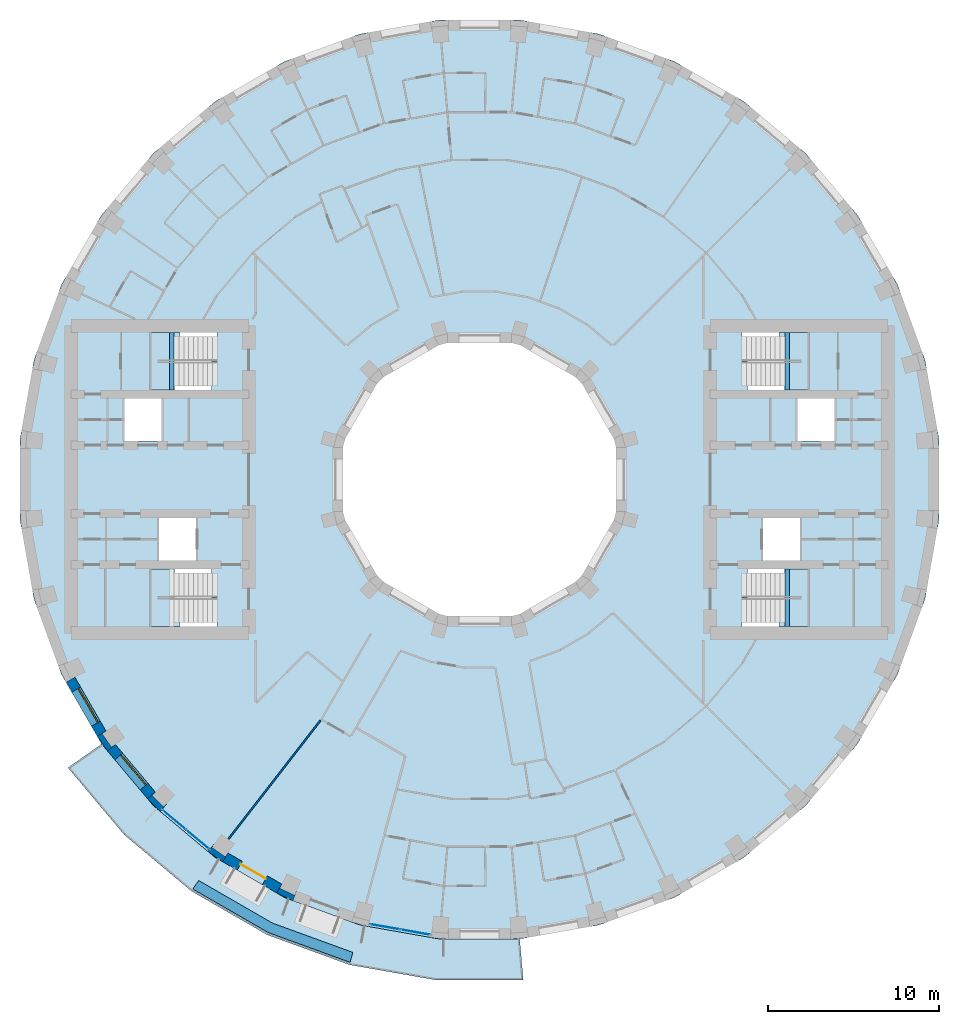
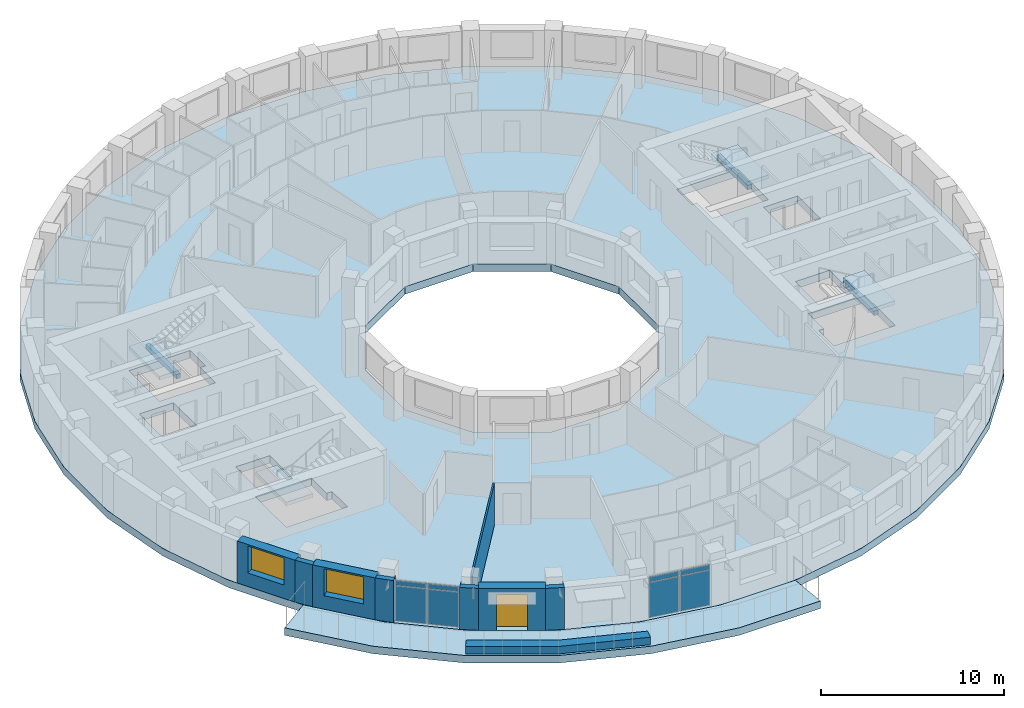
# One storey, part 3 of 14: 9 walls, 8 plates, 6 slabs, 3 beams, 2 windows, 1 door, 3 openings, 6 elements without a shape of their own.
"""IFC4 building model written with IfcOpenShell, lengths in metres."""

from ifc_helpers import new_model, si_unit, direction, frame, frame_2d, origin, origin_2d, place, context, subcontext, project, spatial, polyline, rectangle, outline, extrude, material, layer, layer_set, material_profile, profile_set, type_object, element, fill, aggregate, save


model = new_model("IFC4")

# Units and contexts
model_context = context("Model", 3, precision=1e-05, world=origin(), true_north=direction((0.0, 1.0)))
body_context = subcontext(model_context, "Body", "Model", "MODEL_VIEW")
ifc_project = project(units=[si_unit("LENGTHUNIT", "METRE"), si_unit("AREAUNIT", "SQUARE_METRE"), si_unit("VOLUMEUNIT", "CUBIC_METRE"), si_unit("PLANEANGLEUNIT", "RADIAN"), si_unit("MASSUNIT", "GRAM", prefix="KILO")], contexts=[model_context])

# Site, building, storey
site_placement = place(None, origin())
site = spatial("IfcSite", under=ifc_project, at=site_placement, CompositionType="ELEMENT")
building_placement = place(site_placement, origin())
building = spatial("IfcBuilding", under=site, at=building_placement, Name="Saqina Gate Tower", CompositionType="ELEMENT")
storey_placement = place(building_placement, frame((0.0, 0.0, 131.5)))
storey = spatial("IfcBuildingStorey", under=building, at=storey_placement, Name="L37", CompositionType="ELEMENT", Elevation=131.5)

# Beams
ifc_material_1 = material(Name="Concrete C40/50", Category="concrete")
ifc_material_profile = material_profile(ifc_material_1, rectangle(XDim=0.25, YDim=0.300048828125, at=origin_2d()), Name="STAIR LANDING BEAM")
ifc_profile_set = profile_set([ifc_material_profile], Name="Concrete C40/50")
beam_type = type_object("IfcBeamType", Name="STAIR LANDING BEAM", PredefinedType="BEAM", material=ifc_profile_set)
for number, where, z_axis, x_axis, name in (
    (1, (18.02001953125, 5.25, 1.25), (0.0, 1.0, 0.0), (-1.0, 0.0, 0.0), "EXIT STAIR 1 LANDING BEAM"),
    (2, (18.02001953125, -8.60009765625, 1.25), (0.0, 1.0, 0.0), (-1.0, 0.0, 0.0), "EXIT STAIR 2 LANDING BEAM"),
    (3, (-18.02001953125, 5.25, 1.25), (0.0, 1.0, 0.0), (-1.0, 0.0, 0.0), "EXIT STAIR 3 LANDING BEAM"),
):
    element("IfcBeam", number, at=place(storey_placement, frame(where, z_axis=z_axis, x_axis=x_axis)), inside=storey, type_object=beam_type, Name=name, PredefinedType="BEAM", context=body_context, shape_type="SweptSolid", body=[
        extrude(rectangle(XDim=0.25, YDim=0.300048828125, at=origin_2d()), origin(), (0.0, 0.0, 1.0), 3.35009765625),
    ])

# Curtain wall, plates
ifc_material_2 = material(Name="Aluminium glazing", Category="aluminium")
ifc_layer_1 = layer(ifc_material_2, 0.159912109375)
ifc_layer_set_1 = layer_set([ifc_layer_1], Name="CWT-4")
curtain_wall_type = type_object("IfcCurtainWallType", Name="CWT-4", PredefinedType="NOTDEFINED", material=ifc_layer_set_1)
curtain_wall_1_placement = place(storey_placement, origin())
curtain_wall_1 = element("IfcCurtainWall", 4, at=curtain_wall_1_placement, inside=storey, type_object=curtain_wall_type, Name="Terrace lounge glazing facet 23", PredefinedType="NOTDEFINED")
ifc_material_3 = material(Name="Glass", Category="glass")
ifc_layer_2 = layer(ifc_material_3, 0.028076171875)
ifc_layer_set_2 = layer_set([ifc_layer_2], Name="CWT-4P")
plate_type = type_object("IfcPlateType", Name="CWT-4P", PredefinedType="CURTAIN_PANEL", material=ifc_layer_set_2)
plate_1_placement = place(storey_placement, frame((-17.8798828125, -19.9130859375, 0.06005859375), z_axis=(0.0, 0.0, 1.0), x_axis=(0.766041744675, -0.642790825553, 0.0)))
plate_1 = element("IfcPlate", 5, at=plate_1_placement, type_object=plate_type, Name="CW4-23 panel 1.1", PredefinedType="CURTAIN_PANEL", context=body_context, shape_type="SweptSolid", body=[
    extrude(rectangle(XDim=1.73388671875, YDim=0.028076171875, at=origin_2d()), origin(), (0.0, 0.0, 1.0), 2.31005859375),
])
plate_2_placement = place(storey_placement, frame((-17.8798828125, -19.9130859375, 2.429931640625), z_axis=(0.0, 0.0, 1.0), x_axis=(0.766041744675, -0.642790825553, 0.0)))
plate_2 = element("IfcPlate", 6, at=plate_2_placement, type_object=plate_type, Name="CW4-23 panel 1.2", PredefinedType="CURTAIN_PANEL", context=body_context, shape_type="SweptSolid", body=[
    extrude(rectangle(XDim=1.73388671875, YDim=0.028076171875, at=origin_2d()), origin(), (0.0, 0.0, 1.0), 0.31005859375),
])
plate_3_placement = place(storey_placement, frame((-16.505615234375, -21.066162109375, 0.06005859375), z_axis=(0.0, 0.0, 1.0), x_axis=(0.766041744675, -0.642790825553, 0.0)))
plate_3 = element("IfcPlate", 7, at=plate_3_placement, type_object=plate_type, Name="CW4-23 panel 2.1", PredefinedType="CURTAIN_PANEL", context=body_context, shape_type="SweptSolid", body=[
    extrude(rectangle(XDim=1.73388671875, YDim=0.028076171875, at=origin_2d()), origin(), (0.0, 0.0, 1.0), 2.31005859375),
])
plate_4_placement = place(storey_placement, frame((-16.505615234375, -21.066162109375, 2.429931640625), z_axis=(0.0, 0.0, 1.0), x_axis=(0.766041744675, -0.642790825553, 0.0)))
plate_4 = element("IfcPlate", 8, at=plate_4_placement, type_object=plate_type, Name="CW4-23 panel 2.2", PredefinedType="CURTAIN_PANEL", context=body_context, shape_type="SweptSolid", body=[
    extrude(rectangle(XDim=1.73388671875, YDim=0.028076171875, at=origin_2d()), origin(), (0.0, 0.0, 1.0), 0.31005859375),
])
aggregate(curtain_wall_1, [plate_1, plate_2, plate_3, plate_4])

curtain_wall_2_placement = place(storey_placement, origin())
curtain_wall_2 = element("IfcCurtainWall", 9, at=curtain_wall_2_placement, inside=storey, type_object=curtain_wall_type, Name="Terrace lounge glazing facet 26", PredefinedType="NOTDEFINED")
plate_5_placement = place(storey_placement, frame((-5.52783203125, -26.18505859375, 0.06005859375), z_axis=(0.0, 0.0, 1.0), x_axis=(0.984809489664, -0.17363832834, 0.0)))
plate_5 = element("IfcPlate", 10, at=plate_5_placement, type_object=plate_type, Name="CW4-26 panel 1.1", PredefinedType="CURTAIN_PANEL", context=body_context, shape_type="SweptSolid", body=[
    extrude(rectangle(XDim=1.73388671875, YDim=0.028076171875, at=origin_2d()), origin(), (0.0, 0.0, 1.0), 2.31005859375),
])
plate_6_placement = place(storey_placement, frame((-5.52783203125, -26.18505859375, 2.429931640625), z_axis=(0.0, 0.0, 1.0), x_axis=(0.984809489664, -0.17363832834, 0.0)))
plate_6 = element("IfcPlate", 11, at=plate_6_placement, type_object=plate_type, Name="CW4-26 panel 1.2", PredefinedType="CURTAIN_PANEL", context=body_context, shape_type="SweptSolid", body=[
    extrude(rectangle(XDim=1.73388671875, YDim=0.028076171875, at=origin_2d()), origin(), (0.0, 0.0, 1.0), 0.31005859375),
])
plate_7_placement = place(storey_placement, frame((-3.76123046875, -26.49658203125, 0.06005859375), z_axis=(0.0, 0.0, 1.0), x_axis=(0.984809489664, -0.17363832834, 0.0)))
plate_7 = element("IfcPlate", 12, at=plate_7_placement, type_object=plate_type, Name="CW4-26 panel 2.1", PredefinedType="CURTAIN_PANEL", context=body_context, shape_type="SweptSolid", body=[
    extrude(rectangle(XDim=1.73388671875, YDim=0.028076171875, at=origin_2d()), origin(), (0.0, 0.0, 1.0), 2.31005859375),
])
plate_8_placement = place(storey_placement, frame((-3.76123046875, -26.49658203125, 2.429931640625), z_axis=(0.0, 0.0, 1.0), x_axis=(0.984809489664, -0.17363832834, 0.0)))
plate_8 = element("IfcPlate", 13, at=plate_8_placement, type_object=plate_type, Name="CW4-26 panel 2.2", PredefinedType="CURTAIN_PANEL", context=body_context, shape_type="SweptSolid", body=[
    extrude(rectangle(XDim=1.73388671875, YDim=0.028076171875, at=origin_2d()), origin(), (0.0, 0.0, 1.0), 0.31005859375),
])
aggregate(curtain_wall_2, [plate_5, plate_6, plate_7, plate_8])

# Stair, slab
ifc_material_4 = material(Name="Concrete C40/50", Category="concrete")
stair_type = type_object("IfcStairType", Name="EXIT STAIR", PredefinedType="HALF_TURN_STAIR", material=ifc_material_4)
stair_1_placement = place(storey_placement, origin())
stair_1 = element("IfcStair", 14, at=stair_1_placement, inside=storey, type_object=stair_type, Name="EXIT STAIR 1", PredefinedType="HALF_TURN_STAIR")
ifc_material_5 = material(Name="Concrete C40/50", Category="concrete")
ifc_layer_3 = layer(ifc_material_5, 0.25)
ifc_layer_set_3 = layer_set([ifc_layer_3], Name="Concrete C40/50")
slab_type_1 = type_object("IfcSlabType", Name="EXIT STAIR LANDING", PredefinedType="LANDING", material=ifc_layer_set_3)
slab_1_placement = place(storey_placement, frame((0.0, 0.0, 1.39990234375)))
slab_1 = element("IfcSlab", 15, at=slab_1_placement, type_object=slab_type_1, Name="EXIT STAIR 1 LANDING 1", PredefinedType="LANDING", context=body_context, shape_type="SweptSolid", body=[
    extrude(outline(polyline([(19.219970703125, 8.60009765625), (19.219970703125, 5.25), (17.864990234375, 5.25), (17.864990234375, 6.925048828125), (17.534423828125, 6.925048828125), (17.534423828125, 8.60009765625), (17.864990234375, 8.60009765625), (17.8701171875, 8.60009765625), (19.219970703125, 8.60009765625)])), origin(), (0.0, 0.0, 1.0), 0.25),
])
aggregate(stair_1, [slab_1])

stair_2_placement = place(storey_placement, origin())
stair_2 = element("IfcStair", 16, at=stair_2_placement, inside=storey, type_object=stair_type, Name="EXIT STAIR 2", PredefinedType="HALF_TURN_STAIR")
slab_2_placement = place(storey_placement, frame((0.0, 0.0, 1.39990234375)))
slab_2 = element("IfcSlab", 17, at=slab_2_placement, type_object=slab_type_1, Name="EXIT STAIR 2 LANDING 1", PredefinedType="LANDING", context=body_context, shape_type="SweptSolid", body=[
    extrude(outline(polyline([(17.534423828125, -8.60009765625), (17.534423828125, -6.925048828125), (17.864990234375, -6.925048828125), (17.864990234375, -5.25), (19.219970703125, -5.25), (19.219970703125, -8.60009765625), (17.8701171875, -8.60009765625), (17.864990234375, -8.60009765625), (17.534423828125, -8.60009765625)])), origin(), (0.0, 0.0, 1.0), 0.25),
])
aggregate(stair_2, [slab_2])

stair_3_placement = place(storey_placement, origin())
stair_3 = element("IfcStair", 18, at=stair_3_placement, inside=storey, type_object=stair_type, Name="EXIT STAIR 3", PredefinedType="HALF_TURN_STAIR")
slab_3_placement = place(storey_placement, frame((0.0, 0.0, 1.39990234375)))
slab_3 = element("IfcSlab", 19, at=slab_3_placement, type_object=slab_type_1, Name="EXIT STAIR 3 LANDING 1", PredefinedType="LANDING", context=body_context, shape_type="SweptSolid", body=[
    extrude(outline(polyline([(-17.864990234375, 5.25), (-19.219970703125, 5.25), (-19.219970703125, 8.60009765625), (-17.8701171875, 8.60009765625), (-17.864990234375, 8.60009765625), (-17.534423828125, 8.60009765625), (-17.534423828125, 6.925048828125), (-17.864990234375, 6.925048828125), (-17.864990234375, 5.25)])), origin(), (0.0, 0.0, 1.0), 0.25),
])
aggregate(stair_3, [slab_3])

stair_4_placement = place(storey_placement, origin())
stair_4 = element("IfcStair", 20, at=stair_4_placement, inside=storey, type_object=stair_type, Name="EXIT STAIR 4", PredefinedType="HALF_TURN_STAIR")
slab_4_placement = place(storey_placement, frame((0.0, 0.0, 1.39990234375)))
slab_4 = element("IfcSlab", 21, at=slab_4_placement, type_object=slab_type_1, Name="EXIT STAIR 4 LANDING 1", PredefinedType="LANDING", context=body_context, shape_type="SweptSolid", body=[
    extrude(outline(polyline([(-17.534423828125, -6.925048828125), (-17.534423828125, -8.60009765625), (-17.864990234375, -8.60009765625), (-17.8701171875, -8.60009765625), (-19.219970703125, -8.60009765625), (-19.219970703125, -5.25), (-17.864990234375, -5.25), (-17.864990234375, -6.925048828125), (-17.534423828125, -6.925048828125)])), origin(), (0.0, 0.0, 1.0), 0.25),
])
aggregate(stair_4, [slab_4])

# Slabs
ifc_material_6 = material(Name="Concrete C40/50", Category="concrete")
ifc_layer_4 = layer(ifc_material_6, 0.5)
ifc_layer_set_4 = layer_set([ifc_layer_4], Name="Concrete C40/50")
slab_type_2 = type_object("IfcSlabType", Name="STR-POST-TENSIONED FLAT PLATE FLOOR-500", PredefinedType="FLOOR", material=ifc_layer_set_4)
slab_5_placement = place(storey_placement, frame((0.0, 0.0, -0.5)))
element("IfcSlab", 22, at=slab_5_placement, inside=storey, type_object=slab_type_2, Name="L37-SLB01", PredefinedType="FLOOR", context=body_context, shape_type="SweptSolid", body=[
    extrude(outline(polyline([(26.080078125, -6.988037109375), (26.897216796875, -2.353271484375), (26.897216796875, 2.353271484375), (26.080078125, 6.988037109375), (24.47021484375, 11.41064453125), (22.1171875, 15.486572265625), (19.091796875, 19.091796875), (15.486572265625, 22.1171875), (11.41064453125, 24.47021484375), (6.988037109375, 26.080078125), (2.353271484375, 26.897216796875), (-2.353271484375, 26.897216796875), (-6.988037109375, 26.080078125), (-11.41064453125, 24.47021484375), (-15.486572265625, 22.1171875), (-19.091796875, 19.091796875), (-22.1171875, 15.486572265625), (-24.47021484375, 11.41064453125), (-26.080078125, 6.988037109375), (-26.897216796875, 2.353271484375), (-26.897216796875, -2.353271484375), (-26.080078125, -6.988037109375), (-24.47021484375, -11.41064453125), (-22.1171875, -15.486572265625), (-19.091796875, -19.091796875), (-15.486572265625, -22.1171875), (-11.41064453125, -24.47021484375), (-6.988037109375, -26.080078125), (-2.353271484375, -26.897216796875), (2.353271484375, -26.897216796875), (6.988037109375, -26.080078125), (11.41064453125, -24.47021484375), (15.486572265625, -22.1171875), (19.091796875, -19.091796875), (22.1171875, -15.486572265625), (24.47021484375, -11.41064453125), (26.080078125, -6.988037109375)]), holes=[polyline([(2.1435546875, 8.0), (5.8564453125, 5.8564453125), (8.0, 2.1435546875), (8.0, -2.1435546875), (5.8564453125, -5.8564453125), (2.1435546875, -8.0), (-2.1435546875, -8.0), (-5.8564453125, -5.8564453125), (-8.0, -2.1435546875), (-8.0, 2.1435546875), (-5.8564453125, 5.8564453125), (-2.1435546875, 8.0), (2.1435546875, 8.0)]), polyline([(-15.35498046875, -8.60009765625), (-19.219970703125, -8.60009765625), (-19.219970703125, -6.925048828125), (-19.219970703125, -5.25), (-15.685546875, -5.25), (-15.685546875, -6.925048828125), (-15.35498046875, -6.925048828125), (-15.35498046875, -8.60009765625)]), polyline([(-16.590087890625, -2.25), (-16.590087890625, -4.75), (-18.75, -4.75), (-18.75, -2.25), (-16.590087890625, -2.25)]), polyline([(-20.780029296875, 4.75), (-18.6201171875, 4.75), (-18.6201171875, 2.25), (-20.780029296875, 2.25), (-20.780029296875, 4.75)]), polyline([(-19.219970703125, 6.925048828125), (-19.219970703125, 8.60009765625), (-15.35498046875, 8.60009765625), (-15.35498046875, 6.925048828125), (-15.685546875, 6.925048828125), (-15.685546875, 5.25), (-19.219970703125, 5.25), (-19.219970703125, 6.925048828125)]), polyline([(15.35498046875, -8.60009765625), (15.35498046875, -6.925048828125), (15.685546875, -6.925048828125), (15.685546875, -5.25), (19.219970703125, -5.25), (19.219970703125, -6.925048828125), (19.219970703125, -8.60009765625), (15.35498046875, -8.60009765625)]), polyline([(18.75, -2.25), (18.75, -4.75), (16.590087890625, -4.75), (16.590087890625, -2.25), (18.75, -2.25)]), polyline([(18.6201171875, 4.75), (20.780029296875, 4.75), (20.780029296875, 2.25), (18.6201171875, 2.25), (18.6201171875, 4.75)]), polyline([(15.685546875, 6.925048828125), (15.35498046875, 6.925048828125), (15.35498046875, 8.60009765625), (19.219970703125, 8.60009765625), (19.219970703125, 6.925048828125), (19.219970703125, 5.25), (15.685546875, 5.25), (15.685546875, 6.925048828125)])]), origin(), (0.0, 0.0, 1.0), 0.5),
])
ifc_material_7 = material(Name="Concrete C40/50", Category="concrete")
ifc_layer_5 = layer(ifc_material_7, 0.5)
ifc_layer_set_5 = layer_set([ifc_layer_5], Name="Concrete C40/50")
slab_type_3 = type_object("IfcSlabType", Name="STR-POST-TENSIONED FLAT PLATE TERRACE-500", PredefinedType="FLOOR", material=ifc_layer_set_5)
slab_6_placement = place(storey_placement, frame((0.0, 0.0, -0.5)))
element("IfcSlab", 23, at=slab_6_placement, inside=storey, type_object=slab_type_3, Name="L37-TRS01", PredefinedType="FLOOR", context=body_context, shape_type="SweptSolid", body=[
    extrude(outline(polyline([(-22.1171875, -15.486572265625), (-19.091796875, -19.091796875), (-15.486572265625, -22.1171875), (-11.41064453125, -24.47021484375), (-6.988037109375, -26.080078125), (-2.353271484375, -26.897216796875), (2.353271484375, -26.897216796875), (2.563232421875, -29.29736328125), (-2.563232421875, -29.29736328125), (-7.611572265625, -28.406982421875), (-12.428955078125, -26.65380859375), (-16.868408203125, -24.090576171875), (-20.79541015625, -20.79541015625), (-24.090576171875, -16.868408203125), (-22.1171875, -15.486572265625)])), origin(), (0.0, 0.0, 1.0), 0.5),
])

# Walls
ifc_material_8 = material(Name="Brick masonry (buff)", Category="masonry")
wall_type_1 = type_object("IfcWallType", Name="BRICK PIER COPING BUFF", PredefinedType="SOLIDWALL", material=ifc_material_8)
wall_1_placement = place(storey_placement, origin())
element("IfcWall", 24, at=wall_1_placement, inside=storey, type_object=wall_type_1, Name="Pier cap L37 column 22", PredefinedType="SOLIDWALL", context=body_context, shape_type="SweptSolid", body=[
    extrude(outline(polyline([(-21.77685546875, -15.89208984375), (-21.317138671875, -15.50634765625), (-21.53759765625, -15.66064453125), (-22.08251953125, -14.88232421875), (-21.862060546875, -14.728271484375), (-22.3818359375, -15.0283203125), (-21.77685546875, -15.89208984375)])), origin(), (0.0, 0.0, 1.0), 2.800048828125),
])
wall_2_placement = place(storey_placement, origin())
element("IfcWall", 25, at=wall_2_placement, inside=storey, type_object=wall_type_1, Name="Pier cap L37 column 23", PredefinedType="SOLIDWALL", context=body_context, shape_type="SweptSolid", body=[
    extrude(outline(polyline([(-19.43212890625, -18.686279296875), (-18.686279296875, -19.43212890625), (-18.30078125, -18.972412109375), (-18.49072265625, -19.16259765625), (-19.16259765625, -18.49072265625), (-18.972412109375, -18.30078125), (-19.43212890625, -18.686279296875)])), origin(), (0.0, 0.0, 1.0), 2.800048828125),
])
wall_3_placement = place(storey_placement, origin())
element("IfcWall", 26, at=wall_3_placement, inside=storey, type_object=wall_type_1, Name="Pier cap L37 column 24", PredefinedType="SOLIDWALL", context=body_context, shape_type="SweptSolid", body=[
    extrude(outline(polyline([(-15.0283203125, -22.3818359375), (-14.728271484375, -21.862060546875), (-14.88232421875, -22.08251953125), (-15.66064453125, -21.53759765625), (-15.50634765625, -21.317138671875), (-15.89208984375, -21.77685546875), (-15.0283203125, -22.3818359375)])), origin(), (0.0, 0.0, 1.0), 2.800048828125),
])
wall_4_placement = place(storey_placement, origin())
element("IfcWall", 27, at=wall_4_placement, inside=storey, type_object=wall_type_1, Name="Pier cap L37 column 25", PredefinedType="SOLIDWALL", context=body_context, shape_type="SweptSolid", body=[
    extrude(outline(polyline([(-10.913330078125, -24.6513671875), (-10.7080078125, -24.08740234375), (-10.82177734375, -24.331298828125), (-11.6826171875, -23.9296875), (-11.569091796875, -23.68603515625), (-11.869140625, -24.205810546875), (-10.913330078125, -24.6513671875)])), origin(), (0.0, 0.0, 1.0), 2.800048828125),
])

# Wall, opening, window
ifc_material_9 = material(Name="Brick masonry (buff)", Category="masonry")
ifc_layer_6 = layer(ifc_material_9, 0.60009765625)
ifc_layer_set_6 = layer_set([ifc_layer_6], Name="FW-BRICK-BUFF")
wall_type_2 = type_object("IfcWallType", Name="FW-BRICK-BUFF", PredefinedType="SOLIDWALL", material=ifc_layer_set_6)
wall_5_placement = place(storey_placement, frame((-23.94580078125, -11.718994140625, 0.0), z_axis=(0.0, 0.0, 1.0), x_axis=(0.499954196102, -0.866051847062, 0.0)))
wall_5 = element("IfcWall", 28, at=wall_5_placement, inside=storey, type_object=wall_type_2, Name="Facade wall L37 facet 21", PredefinedType="SOLIDWALL", context=body_context, shape_type="SweptSolid", body=[
    extrude(rectangle(XDim=3.647705078125, YDim=0.60009765625, at=frame_2d((1.82373046875, 0.0))), origin(), (0.0, 0.0, 1.0), 2.800048828125),
])
opening_1_placement = place(wall_5_placement, frame((0.673828125, 0.0, 0.89990234375)))
opening_1 = element("IfcOpeningElement", 29, at=opening_1_placement, cuts=wall_5, Name="Opening G11-W14", PredefinedType="OPENING", context=body_context, shape_type="SweptSolid", body=[
    extrude(rectangle(XDim=2.300048828125, YDim=1.800048828125, at=frame_2d((1.14990234375, 0.89990234375))), frame((0.0, 0.31201171875, 0.0), z_axis=(0.0, -1.0, 0.0), x_axis=(1.0, 0.0, 0.0)), (0.0, 0.0, 1.0), 0.6240234375),
])
ifc_material_10 = material(Name="Aluminium glazing", Category="aluminium")
window_type = type_object("IfcWindowType", Name="WN-B", PartitioningType="SINGLE_PANEL", PredefinedType="WINDOW", material=ifc_material_10)
window_1_placement = place(opening_1_placement, origin())
window_1 = element("IfcWindow", 30, at=window_1_placement, inside=storey, type_object=window_type, Name="Window L37 facet 21", OverallHeight=1.800048828125, OverallWidth=2.300048828125, PartitioningType="SINGLE_PANEL", PredefinedType="WINDOW", context=body_context, shape_type="SweptSolid", body=[
    extrude(rectangle(XDim=2.300048828125, YDim=1.800048828125, at=frame_2d((1.14990234375, 0.89990234375))), frame((0.0, 0.179931640625, 0.0), z_axis=(0.0, -1.0, 0.0), x_axis=(1.0, 0.0, 0.0)), (0.0, 0.0, 1.0), 0.06005859375),
])
fill(opening_1, window_1)

wall_6_placement = place(storey_placement, frame((-21.547119140625, -15.69921875, 0.0), z_axis=(0.0, 0.0, 1.0), x_axis=(0.642774476932, -0.766055462616, 0.0)))
wall_6 = element("IfcWall", 31, at=wall_6_placement, inside=storey, type_object=wall_type_2, Name="Facade wall L37 facet 22", PredefinedType="SOLIDWALL", context=body_context, shape_type="SweptSolid", body=[
    extrude(rectangle(XDim=3.647705078125, YDim=0.60009765625, at=frame_2d((1.82373046875, 0.0))), origin(), (0.0, 0.0, 1.0), 2.800048828125),
])
opening_2_placement = place(wall_6_placement, frame((0.673828125, 0.0, 0.89990234375)))
opening_2 = element("IfcOpeningElement", 32, at=opening_2_placement, cuts=wall_6, Name="Opening G11-W15", PredefinedType="OPENING", context=body_context, shape_type="SweptSolid", body=[
    extrude(rectangle(XDim=2.300048828125, YDim=1.800048828125, at=frame_2d((1.14990234375, 0.89990234375))), frame((0.0, 0.31201171875, 0.0), z_axis=(0.0, -1.0, 0.0), x_axis=(1.0, 0.0, 0.0)), (0.0, 0.0, 1.0), 0.6240234375),
])
window_2_placement = place(opening_2_placement, origin())
window_2 = element("IfcWindow", 33, at=window_2_placement, inside=storey, type_object=window_type, Name="Window L37 facet 22", OverallHeight=1.800048828125, OverallWidth=2.300048828125, PartitioningType="SINGLE_PANEL", PredefinedType="WINDOW", context=body_context, shape_type="SweptSolid", body=[
    extrude(rectangle(XDim=2.300048828125, YDim=1.800048828125, at=frame_2d((1.14990234375, 0.89990234375))), frame((0.0, 0.179931640625, 0.0), z_axis=(0.0, -1.0, 0.0), x_axis=(1.0, 0.0, 0.0)), (0.0, 0.0, 1.0), 0.06005859375),
])
fill(opening_2, window_2)

# Wall, opening, door
wall_7_placement = place(storey_placement, frame((-14.878173828125, -22.1220703125, 0.0), z_axis=(0.0, 0.0, 1.0), x_axis=(0.866051847062, -0.499954196102, 0.0)))
wall_7 = element("IfcWall", 34, at=wall_7_placement, inside=storey, type_object=wall_type_2, Name="Facade wall L37 facet 24", PredefinedType="SOLIDWALL", context=body_context, shape_type="SweptSolid", body=[
    extrude(rectangle(XDim=3.647705078125, YDim=0.60009765625, at=frame_2d((1.82373046875, 0.0))), origin(), (0.0, 0.0, 1.0), 2.800048828125),
])
opening_3_placement = place(wall_7_placement, frame((0.973876953125, 0.0, 0.0)))
opening_3 = element("IfcOpeningElement", 35, at=opening_3_placement, cuts=wall_7, Name="Opening G11-D80", PredefinedType="OPENING", context=body_context, shape_type="SweptSolid", body=[
    extrude(rectangle(XDim=1.699951171875, YDim=2.39990234375, at=frame_2d((0.85009765625, 1.199951171875))), frame((0.0, 0.31201171875, 0.0), z_axis=(0.0, -1.0, 0.0), x_axis=(1.0, 0.0, 0.0)), (0.0, 0.0, 1.0), 0.6240234375),
])
ifc_material_11 = material(Name="Aluminium glazing", Category="aluminium")
door_type = type_object("IfcDoorType", Name="GD-B", OperationType="DOUBLE_DOOR_SINGLE_SWING", PredefinedType="DOOR", material=ifc_material_11)
door_placement = place(opening_3_placement, origin())
door = element("IfcDoor", 36, at=door_placement, inside=storey, type_object=door_type, Name="Terrace door L37 facet 24", OperationType="DOUBLE_DOOR_SINGLE_SWING", OverallHeight=2.39990234375, OverallWidth=1.699951171875, PredefinedType="DOOR", context=body_context, shape_type="SweptSolid", body=[
    extrude(rectangle(XDim=1.699951171875, YDim=2.39990234375, at=frame_2d((0.85009765625, 1.199951171875))), frame((0.0, 0.125, 0.0), z_axis=(0.0, -1.0, 0.0), x_axis=(1.0, 0.0, 0.0)), (0.0, 0.0, 1.0), 0.050048828125),
])
fill(opening_3, door)

# Walls
ifc_material_12 = material(Name="Gypsum board on steel studs, 100 mm", Category="steel")
ifc_layer_7 = layer(ifc_material_12, 0.10009765625)
ifc_layer_set_7 = layer_set([ifc_layer_7], Name="PARTITION 100")
wall_type_3 = type_object("IfcWallType", Name="PARTITION 100", PredefinedType="PARTITIONING", material=ifc_layer_set_7)
wall_8_placement = place(storey_placement, frame((-14.69140625, -21.044189453125, 0.0), z_axis=(0.0, 0.0, 1.0), x_axis=(0.612857497435, 0.79019344963, 0.0)))
element("IfcWall", 37, at=wall_8_placement, inside=storey, type_object=wall_type_3, Name="PARTITION PW3-72", PredefinedType="PARTITIONING", context=body_context, shape_type="SweptSolid", body=[
    extrude(rectangle(XDim=8.790283203125, YDim=0.10009765625, at=frame_2d((4.39501953125, 0.0))), origin(), (0.0, 0.0, 1.0), 2.800048828125),
])
ifc_material_13 = material(Name="Brick masonry (red)", Category="masonry")
ifc_layer_8 = layer(ifc_material_13, 0.60009765625)
ifc_layer_set_8 = layer_set([ifc_layer_8], Name="PL-PLANTER")
wall_type_4 = type_object("IfcWallType", Name="PL-PLANTER", PredefinedType="PARAPET", material=ifc_layer_set_8)
wall_9_placement = place(storey_placement, origin())
element("IfcWall", 38, at=wall_9_placement, inside=storey, type_object=wall_type_4, Name="Planter L37", PredefinedType="PARAPET", context=body_context, shape_type="SweptSolid", body=[
    extrude(outline(polyline([(-16.781982421875, -23.96728515625), (-12.365234375, -26.517333984375), (-7.57275390625, -28.26171875), (-7.416748046875, -27.679931640625), (-12.110595703125, -25.971435546875), (-16.4365234375, -23.473876953125), (-16.781982421875, -23.96728515625)])), origin(), (0.0, 0.0, 1.0), 0.5),
])

save(model, "model.ifc")
